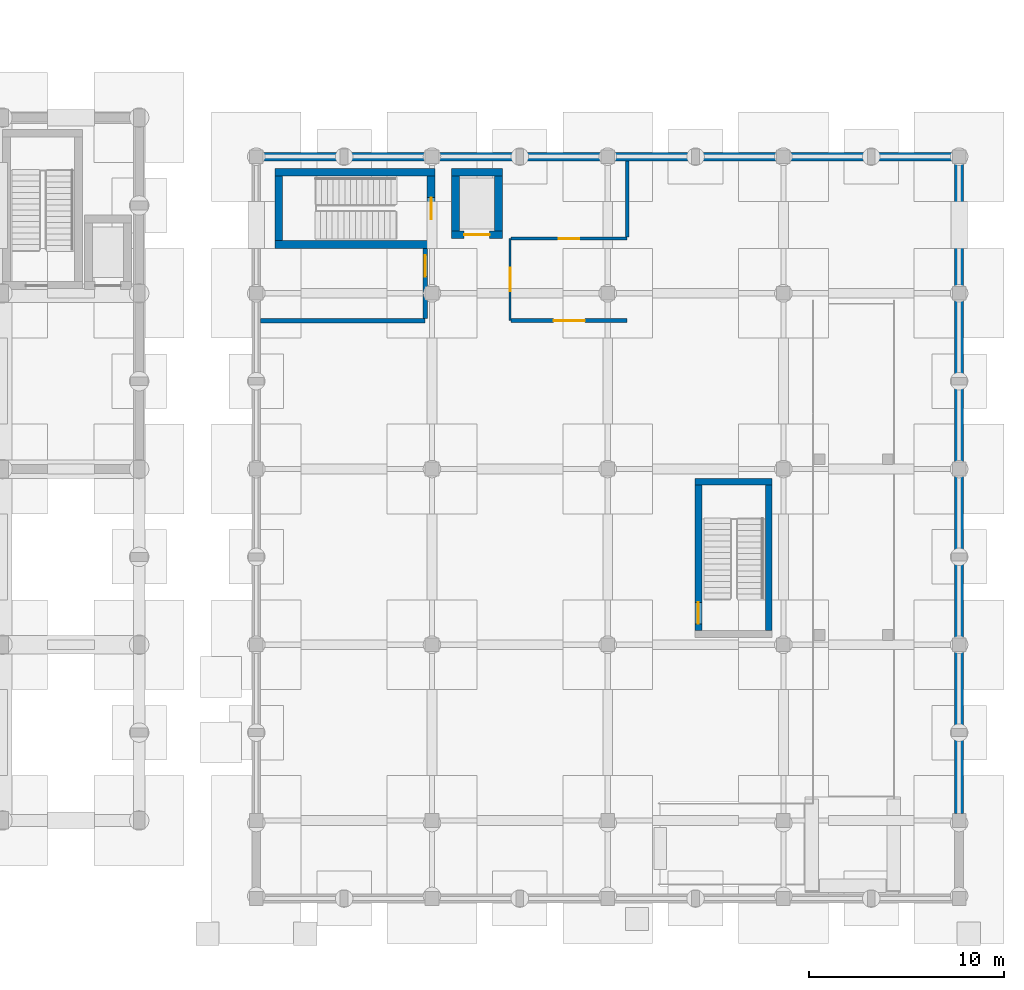
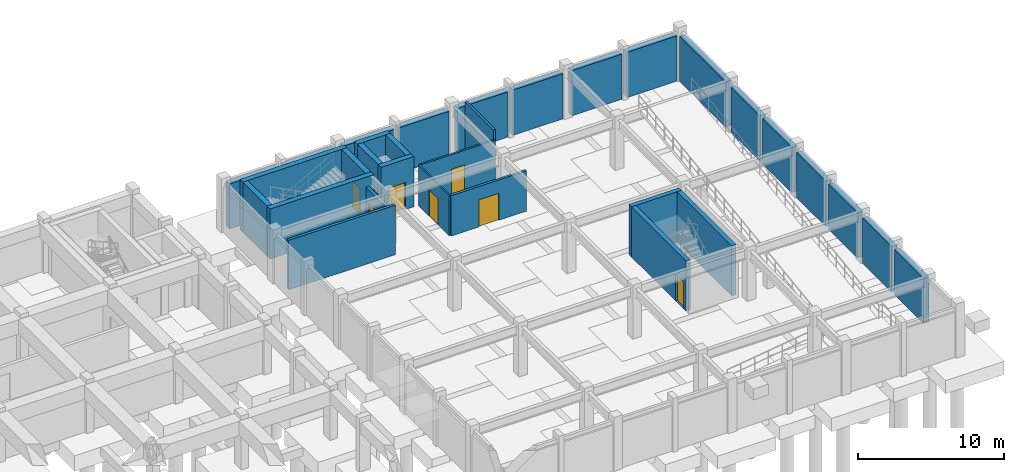
# One storey, part 15 of 20: 32 walls, 7 doors, 7 openings.
"""IFC4 building model written with IfcOpenShell, lengths in metres."""

from ifc_helpers import new_model, si_unit, direction, frame, frame_2d, origin, place, context, subcontext, project, spatial, rectangle, extrude, material, layer, layer_set, type_object, element, fill, save


model = new_model("IFC4")

# Units and contexts
model_context = context("Model", 3, precision=1e-05, world=origin(), true_north=direction((0.0, 1.0)))
body_context = subcontext(model_context, "Body", "Model", "MODEL_VIEW")
ifc_project = project(units=[si_unit("LENGTHUNIT", "METRE"), si_unit("AREAUNIT", "SQUARE_METRE"), si_unit("VOLUMEUNIT", "CUBIC_METRE"), si_unit("PLANEANGLEUNIT", "RADIAN"), si_unit("MASSUNIT", "GRAM", prefix="KILO")], contexts=[model_context])

# Site, building, storey
site_placement = place(None, origin())
site = spatial("IfcSite", under=ifc_project, at=site_placement, CompositionType="ELEMENT")
building_placement = place(site_placement, origin())
building = spatial("IfcBuilding", under=site, at=building_placement, Name="Ventoquebrada Cableway Terminal", CompositionType="ELEMENT")
storey_placement = place(building_placement, frame((0.0, 0.0, -4.5)))
storey = spatial("IfcBuildingStorey", under=building, at=storey_placement, Name="B1", CompositionType="ELEMENT", Elevation=-4.5)

# Wall
ifc_material_1 = material(Name="Concrete C40/50", Category="concrete")
ifc_layer_1 = layer(ifc_material_1, 0.39990234375)
ifc_layer_set_1 = layer_set([ifc_layer_1], Name="Concrete C40/50")
wall_type_1 = type_object("IfcWallType", Name="WL-CR1", PredefinedType="SHEAR", material=ifc_layer_set_1)
wall_1_placement = place(storey_placement, frame((129.949951171875, 97.5, 0.0), z_axis=(0.0, 0.0, 1.0), x_axis=(1.0, 0.0, 0.0)))
element("IfcWall", 1, at=wall_1_placement, inside=storey, type_object=wall_type_1, Name="Core shear wall IW-0153", PredefinedType="SHEAR", context=body_context, shape_type="SweptSolid", body=[
    extrude(rectangle(XDim=8.199951171875, YDim=0.39990234375, at=frame_2d((4.10009765625, 0.0))), origin(), (0.0, 0.0, 1.0), 4.18994140625),
])

# Wall, opening, door
wall_2_placement = place(storey_placement, frame((137.949951171875, 97.699951171875, 0.0), z_axis=(0.0, 0.0, 1.0), x_axis=(0.0, 1.0, 0.0)))
wall_2 = element("IfcWall", 2, at=wall_2_placement, inside=storey, type_object=wall_type_1, Name="Core shear wall IW-0154", PredefinedType="SHEAR", context=body_context, shape_type="SweptSolid", body=[
    extrude(rectangle(XDim=3.300048828125, YDim=0.39990234375, at=frame_2d((1.64990234375, 0.0))), origin(), (0.0, 0.0, 1.0), 4.18994140625),
])
opening_1_placement = place(wall_2_placement, frame((1.10009765625, 0.0, 0.0)))
opening_1 = element("IfcOpeningElement", 3, at=opening_1_placement, cuts=wall_2, Name="Opening D-019", PredefinedType="OPENING", context=body_context, shape_type="SweptSolid", body=[
    extrude(rectangle(XDim=1.10009765625, YDim=2.199951171875, at=frame_2d((0.550048828125, 1.10009765625))), frame((0.0, 0.2099609375, 0.0), z_axis=(0.0, -1.0, 0.0), x_axis=(1.0, 0.0, 0.0)), (0.0, 0.0, 1.0), 0.419921875),
])
ifc_material_2 = material(Name="Galvanized fire-rated steel door assembly", Category="steel")
door_type_1 = type_object("IfcDoorType", Name="DT-IN05", OperationType="SINGLE_SWING_LEFT", PredefinedType="DOOR", material=ifc_material_2)
door_1_placement = place(opening_1_placement, origin())
door_1 = element("IfcDoor", 4, at=door_1_placement, inside=storey, type_object=door_type_1, Name="Core K5-S stair fire door D-019", OperationType="SINGLE_SWING_RIGHT", OverallHeight=2.199951171875, OverallWidth=1.10009765625, PredefinedType="DOOR", context=body_context, shape_type="SweptSolid", body=[
    extrude(rectangle(XDim=1.10009765625, YDim=2.199951171875, at=frame_2d((0.550048828125, 1.10009765625))), frame((0.0, 0.02490234375, 0.0), z_axis=(0.0, -1.0, 0.0), x_axis=(1.0, 0.0, 0.0)), (0.0, 0.0, 1.0), 0.050048828125),
])
fill(opening_1, door_1)

# Walls
wall_3_placement = place(storey_placement, frame((138.14990234375, 101.199951171875, 0.0), z_axis=(0.0, 0.0, 1.0), x_axis=(-1.0, 0.0, 0.0)))
element("IfcWall", 5, at=wall_3_placement, inside=storey, type_object=wall_type_1, Name="Core shear wall IW-0155", PredefinedType="SHEAR", context=body_context, shape_type="SweptSolid", body=[
    extrude(rectangle(XDim=8.199951171875, YDim=0.39990234375, at=frame_2d((4.10009765625, 0.0))), origin(), (0.0, 0.0, 1.0), 4.18994140625),
])
wall_4_placement = place(storey_placement, frame((130.14990234375, 101.0, 0.0), z_axis=(0.0, 0.0, 1.0), x_axis=(0.0, -1.0, 0.0)))
element("IfcWall", 6, at=wall_4_placement, inside=storey, type_object=wall_type_1, Name="Core shear wall IW-0156", PredefinedType="SHEAR", context=body_context, shape_type="SweptSolid", body=[
    extrude(rectangle(XDim=3.300048828125, YDim=0.39990234375, at=frame_2d((1.64990234375, 0.0))), origin(), (0.0, 0.0, 1.0), 4.18994140625),
])

# Wall, opening, door
wall_5_placement = place(storey_placement, frame((139.0, 98.0, 0.0), z_axis=(0.0, 0.0, 1.0), x_axis=(1.0, 0.0, 0.0)))
wall_5 = element("IfcWall", 7, at=wall_5_placement, inside=storey, type_object=wall_type_1, Name="Core shear wall IW-0157", PredefinedType="SHEAR", context=body_context, shape_type="SweptSolid", body=[
    extrude(rectangle(XDim=2.60009765625, YDim=0.39990234375, at=frame_2d((1.300048828125, 0.0))), origin(), (0.0, 0.0, 1.0), 4.18994140625),
])
opening_2_placement = place(wall_5_placement, frame((0.64990234375, 0.0, 0.0)))
opening_2 = element("IfcOpeningElement", 8, at=opening_2_placement, cuts=wall_5, Name="Opening LD-019", PredefinedType="OPENING", context=body_context, shape_type="SweptSolid", body=[
    extrude(rectangle(XDim=1.300048828125, YDim=2.25, at=frame_2d((0.64990234375, 1.125))), frame((0.0, 0.2099609375, 0.0), z_axis=(0.0, -1.0, 0.0), x_axis=(1.0, 0.0, 0.0)), (0.0, 0.0, 1.0), 0.419921875),
])
ifc_material_3 = material(Name="Brushed stainless steel Grade 316", Category="steel")
door_type_2 = type_object("IfcDoorType", Name="DT-LD02", OperationType="SLIDING_TO_RIGHT", PredefinedType="DOOR", material=ifc_material_3)
door_2_placement = place(opening_2_placement, origin())
door_2 = element("IfcDoor", 9, at=door_2_placement, inside=storey, type_object=door_type_2, Name="Lift landing sliding door LD-019", OperationType="SLIDING_TO_RIGHT", OverallHeight=2.25, OverallWidth=1.300048828125, PredefinedType="DOOR", context=body_context, shape_type="SweptSolid", body=[
    extrude(rectangle(XDim=1.300048828125, YDim=2.25, at=frame_2d((0.64990234375, 1.125))), frame((0.0, 0.02490234375, 0.0), z_axis=(0.0, -1.0, 0.0), x_axis=(1.0, 0.0, 0.0)), (0.0, 0.0, 1.0), 0.050048828125),
])
fill(opening_2, door_2)

# Walls
wall_6_placement = place(storey_placement, frame((141.39990234375, 98.199951171875, 0.0), z_axis=(0.0, 0.0, 1.0), x_axis=(0.0, 1.0, 0.0)))
element("IfcWall", 10, at=wall_6_placement, inside=storey, type_object=wall_type_1, Name="Core shear wall IW-0158", PredefinedType="SHEAR", context=body_context, shape_type="SweptSolid", body=[
    extrude(rectangle(XDim=2.800048828125, YDim=0.39990234375, at=frame_2d((1.39990234375, 0.0))), origin(), (0.0, 0.0, 1.0), 4.18994140625),
])
wall_7_placement = place(storey_placement, frame((141.60009765625, 101.199951171875, 0.0), z_axis=(0.0, 0.0, 1.0), x_axis=(-1.0, 0.0, 0.0)))
element("IfcWall", 11, at=wall_7_placement, inside=storey, type_object=wall_type_1, Name="Core shear wall IW-0159", PredefinedType="SHEAR", context=body_context, shape_type="SweptSolid", body=[
    extrude(rectangle(XDim=2.60009765625, YDim=0.39990234375, at=frame_2d((1.300048828125, 0.0))), origin(), (0.0, 0.0, 1.0), 4.18994140625),
])
wall_8_placement = place(storey_placement, frame((139.199951171875, 101.0, 0.0), z_axis=(0.0, 0.0, 1.0), x_axis=(0.0, -1.0, 0.0)))
element("IfcWall", 12, at=wall_8_placement, inside=storey, type_object=wall_type_1, Name="Core shear wall IW-0160", PredefinedType="SHEAR", context=body_context, shape_type="SweptSolid", body=[
    extrude(rectangle(XDim=2.800048828125, YDim=0.39990234375, at=frame_2d((1.39990234375, 0.0))), origin(), (0.0, 0.0, 1.0), 4.18994140625),
])

# Wall, opening, door
ifc_material_4 = material(Name="Fire-rated gypsum partition board on steel framing", Category="steel")
ifc_layer_2 = layer(ifc_material_4, 0.1201171875)
ifc_layer_set_2 = layer_set([ifc_layer_2], Name="Fire-rated gypsum partition board on steel framing")
wall_type_2 = type_object("IfcWallType", Name="WL-PT1", PredefinedType="PARTITIONING", material=ifc_layer_set_2)
wall_9_placement = place(storey_placement, frame((142.0, 93.60009765625, 0.0), z_axis=(0.0, 0.0, 1.0), x_axis=(0.0, 1.0, 0.0)))
wall_9 = element("IfcWall", 13, at=wall_9_placement, inside=storey, type_object=wall_type_2, Name="Interior partition IW-0311", PredefinedType="PARTITIONING", context=body_context, shape_type="SweptSolid", body=[
    extrude(rectangle(XDim=4.199951171875, YDim=0.1201171875, at=frame_2d((2.10009765625, 0.0))), origin(), (0.0, 0.0, 1.0), 3.363037109375),
])
opening_3_placement = place(wall_9_placement, frame((1.5, 0.0, 0.0)))
opening_3 = element("IfcOpeningElement", 14, at=opening_3_placement, cuts=wall_9, Name="Opening D-058", PredefinedType="OPENING", context=body_context, shape_type="SweptSolid", body=[
    extrude(rectangle(XDim=1.199951171875, YDim=2.199951171875, at=frame_2d((0.60009765625, 1.10009765625))), frame((0.0, 0.070068359375, 0.0), z_axis=(0.0, -1.0, 0.0), x_axis=(1.0, 0.0, 0.0)), (0.0, 0.0, 1.0), 0.14013671875),
])
door_type_3 = type_object("IfcDoorType", Name="DT-IN06", OperationType="SINGLE_SWING_RIGHT", PredefinedType="DOOR", material=ifc_material_2)
door_3_placement = place(opening_3_placement, origin())
door_3 = element("IfcDoor", 15, at=door_3_placement, inside=storey, type_object=door_type_3, Name="K5 Service Lobby Door D-058", OperationType="SINGLE_SWING_LEFT", OverallHeight=2.199951171875, OverallWidth=1.199951171875, PredefinedType="DOOR", context=body_context, shape_type="SweptSolid", body=[
    extrude(rectangle(XDim=1.199951171875, YDim=2.199951171875, at=frame_2d((0.60009765625, 1.10009765625))), frame((0.0, 0.02490234375, 0.0), z_axis=(0.0, -1.0, 0.0), x_axis=(1.0, 0.0, 0.0)), (0.0, 0.0, 1.0), 0.050048828125),
])
fill(opening_3, door_3)

ifc_material_5 = material(Name="Autoclaved aerated concrete blockwork", Category="masonry")
ifc_layer_3 = layer(ifc_material_5, 0.2451171875)
ifc_layer_set_3 = layer_set([ifc_layer_3], Name="Autoclaved aerated concrete blockwork")
wall_type_3 = type_object("IfcWallType", Name="WL-PT10", PredefinedType="PARTITIONING", material=ifc_layer_set_3)
wall_10_placement = place(storey_placement, frame((137.64990234375, 93.7060546875, 0.0), z_axis=(0.0, 0.0, 1.0), x_axis=(0.0, 1.0, 0.0)))
wall_10 = element("IfcWall", 16, at=wall_10_placement, inside=storey, type_object=wall_type_3, Name="Interior partition IW-0310", PredefinedType="PARTITIONING", context=body_context, shape_type="SweptSolid", body=[
    extrude(rectangle(XDim=3.593994140625, YDim=0.2451171875, at=frame_2d((1.796875, 0.0))), origin(), (0.0, 0.0, 1.0), 3.363037109375),
])
opening_4_placement = place(wall_10_placement, frame((2.14697265625, 0.0, 0.0)))
opening_4 = element("IfcOpeningElement", 17, at=opening_4_placement, cuts=wall_10, Name="Opening D-057", PredefinedType="OPENING", context=body_context, shape_type="SweptSolid", body=[
    extrude(rectangle(XDim=1.10009765625, YDim=2.199951171875, at=frame_2d((0.550048828125, 1.10009765625))), frame((0.0, 0.132568359375, 0.0), z_axis=(0.0, -1.0, 0.0), x_axis=(1.0, 0.0, 0.0)), (0.0, 0.0, 1.0), 0.26513671875),
])
door_type_4 = type_object("IfcDoorType", Name="DT-IN04", OperationType="SINGLE_SWING_RIGHT", PredefinedType="DOOR", material=ifc_material_2)
door_4_placement = place(opening_4_placement, origin())
door_4 = element("IfcDoor", 18, at=door_4_placement, inside=storey, type_object=door_type_4, Name="Rope Spool Store Door D-057", OperationType="SINGLE_SWING_RIGHT", OverallHeight=2.199951171875, OverallWidth=1.10009765625, PredefinedType="DOOR", context=body_context, shape_type="SweptSolid", body=[
    extrude(rectangle(XDim=1.10009765625, YDim=2.199951171875, at=frame_2d((0.550048828125, 1.10009765625))), frame((0.0, 0.02490234375, 0.0), z_axis=(0.0, -1.0, 0.0), x_axis=(1.0, 0.0, 0.0)), (0.0, 0.0, 1.0), 0.050048828125),
])
fill(opening_4, door_4)

ifc_layer_4 = layer(ifc_material_4, 0.14990234375)
ifc_layer_set_4 = layer_set([ifc_layer_4], Name="Fire-rated gypsum partition board on steel framing")
wall_type_4 = type_object("IfcWallType", Name="WL-PT2", PredefinedType="PARTITIONING", material=ifc_layer_set_4)
wall_11_placement = place(storey_placement, frame((142.05810546875, 97.800048828125, 0.0), z_axis=(0.0, 0.0, 1.0), x_axis=(1.0, 0.0, 0.0)))
wall_11 = element("IfcWall", 19, at=wall_11_placement, inside=storey, type_object=wall_type_4, Name="Interior partition IW-0312", PredefinedType="PARTITIONING", context=body_context, shape_type="SweptSolid", body=[
    extrude(rectangle(XDim=5.94189453125, YDim=0.14990234375, at=frame_2d((2.970947265625, 0.0))), origin(), (0.0, 0.0, 1.0), 3.363037109375),
])
opening_5_placement = place(wall_11_placement, frame((2.446044921875, 0.0, 0.0)))
opening_5 = element("IfcOpeningElement", 20, at=opening_5_placement, cuts=wall_11, Name="Opening D-059", PredefinedType="OPENING", context=body_context, shape_type="SweptSolid", body=[
    extrude(rectangle(XDim=1.050048828125, YDim=2.14990234375, at=frame_2d((0.52490234375, 1.074951171875))), frame((0.0, 0.0849609375, 0.0), z_axis=(0.0, -1.0, 0.0), x_axis=(1.0, 0.0, 0.0)), (0.0, 0.0, 1.0), 0.169921875),
])
ifc_material_6 = material(Name="Fire-retardant oak acoustic door leaf")
door_type_5 = type_object("IfcDoorType", Name="DT-IN03", OperationType="SINGLE_SWING_LEFT", PredefinedType="DOOR", material=ifc_material_6)
door_5_placement = place(opening_5_placement, origin())
door_5 = element("IfcDoor", 21, at=door_5_placement, inside=storey, type_object=door_type_5, Name="Basement Staff WC Door D-059", OperationType="SINGLE_SWING_RIGHT", OverallHeight=2.14990234375, OverallWidth=1.050048828125, PredefinedType="DOOR", context=body_context, shape_type="SweptSolid", body=[
    extrude(rectangle(XDim=1.050048828125, YDim=2.14990234375, at=frame_2d((0.52490234375, 1.074951171875))), frame((0.0, 0.02490234375, 0.0), z_axis=(0.0, -1.0, 0.0), x_axis=(1.0, 0.0, 0.0)), (0.0, 0.0, 1.0), 0.050048828125),
])
fill(opening_5, door_5)

# Wall
ifc_layer_5 = layer(ifc_material_4, 0.179931640625)
ifc_layer_set_5 = layer_set([ifc_layer_5], Name="Fire-rated gypsum partition board on steel framing")
wall_type_5 = type_object("IfcWallType", Name="WL-PT3", PredefinedType="STANDARD", material=ifc_layer_set_5)
wall_12_placement = place(storey_placement, frame((148.0, 97.873046875, 0.0), z_axis=(0.0, 0.0, 1.0), x_axis=(0.0, 1.0, 0.0)))
element("IfcWall", 22, at=wall_12_placement, inside=storey, type_object=wall_type_5, Name="Interior partition IW-0313", PredefinedType="STANDARD", context=body_context, shape_type="SweptSolid", body=[
    extrude(rectangle(XDim=3.904052734375, YDim=0.179931640625, at=frame_2d((1.9521484375, 0.0))), origin(), (0.0, 0.0, 1.0), 4.135009765625),
])

# Wall, opening, door
ifc_layer_6 = layer(ifc_material_5, 0.199951171875)
ifc_layer_set_6 = layer_set([ifc_layer_6], Name="Autoclaved aerated concrete blockwork")
wall_type_6 = type_object("IfcWallType", Name="WL-PT4", PredefinedType="PARTITIONING", material=ifc_layer_set_6)
wall_13_placement = place(storey_placement, frame((142.05810546875, 93.60009765625, 0.0), z_axis=(0.0, 0.0, 1.0), x_axis=(1.0, 0.0, 0.0)))
wall_13 = element("IfcWall", 23, at=wall_13_placement, inside=storey, type_object=wall_type_6, Name="Interior partition IW-0314", PredefinedType="PARTITIONING", context=body_context, shape_type="SweptSolid", body=[
    extrude(rectangle(XDim=5.94189453125, YDim=0.199951171875, at=frame_2d((2.970947265625, 0.0))), origin(), (0.0, 0.0, 1.0), 3.363037109375),
])
opening_6_placement = place(wall_13_placement, frame((2.1708984375, 0.0, 0.0)))
opening_6 = element("IfcOpeningElement", 24, at=opening_6_placement, cuts=wall_13, Name="Opening D-060", PredefinedType="OPENING", context=body_context, shape_type="SweptSolid", body=[
    extrude(rectangle(XDim=1.60009765625, YDim=2.25, at=frame_2d((0.800048828125, 1.125))), frame((0.0, 0.10986328125, 0.0), z_axis=(0.0, -1.0, 0.0), x_axis=(1.0, 0.0, 0.0)), (0.0, 0.0, 1.0), 0.219970703125),
])
door_type_6 = type_object("IfcDoorType", Name="DT-IN07", OperationType="DOUBLE_SWING_LEFT", PredefinedType="DOOR", material=ifc_material_2)
door_6_placement = place(opening_6_placement, origin())
door_6 = element("IfcDoor", 25, at=door_6_placement, inside=storey, type_object=door_type_6, Name="Basement Parking Access Door D-060", OperationType="DOUBLE_SWING_LEFT", OverallHeight=2.25, OverallWidth=1.60009765625, PredefinedType="DOOR", context=body_context, shape_type="SweptSolid", body=[
    extrude(rectangle(XDim=1.60009765625, YDim=2.25, at=frame_2d((0.800048828125, 1.125))), frame((0.0, 0.02490234375, 0.0), z_axis=(0.0, -1.0, 0.0), x_axis=(1.0, 0.0, 0.0)), (0.0, 0.0, 1.0), 0.050048828125),
])
fill(opening_6, door_6)

# Walls
ifc_layer_7 = layer(ifc_material_5, 0.215087890625)
ifc_layer_set_7 = layer_set([ifc_layer_7], Name="Autoclaved aerated concrete blockwork")
wall_type_7 = type_object("IfcWallType", Name="WL-PT9", PredefinedType="PARTITIONING", material=ifc_layer_set_7)
wall_14_placement = place(storey_placement, frame((129.222900390625, 93.60009765625, 0.0), z_axis=(0.0, 0.0, 1.0), x_axis=(1.0, 0.0, 0.0)))
element("IfcWall", 26, at=wall_14_placement, inside=storey, type_object=wall_type_7, Name="Interior partition IW-0309", PredefinedType="PARTITIONING", context=body_context, shape_type="SweptSolid", body=[
    extrude(rectangle(XDim=8.427001953125, YDim=0.215087890625, at=frame_2d((4.21337890625, 0.0))), origin(), (0.0, 0.0, 1.0), 4.135009765625),
])
ifc_material_7 = material(Name="Concrete C45/55", Category="concrete")
ifc_layer_8 = layer(ifc_material_7, 0.449951171875)
ifc_layer_set_8 = layer_set([ifc_layer_8], Name="Concrete C45/55")
wall_type_8 = type_object("IfcWallType", Name="WL-RT1", PredefinedType="USERDEFINED", material=ifc_layer_set_8)
for number, where, z_axis, x_axis, name in (
    (27, (165.0, 68.344970703125, 0.0), (0.0, 0.0, 1.0), (0.0, 1.0, 0.0), "Perimeter basement retaining wall EW-0040"),
    (28, (165.0, 72.695068359375, 0.0), (0.0, 0.0, 1.0), (0.0, 1.0, 0.0), "Perimeter basement retaining wall EW-0041"),
    (29, (165.0, 77.344970703125, 0.0), (0.0, 0.0, 1.0), (0.0, 1.0, 0.0), "Perimeter basement retaining wall EW-0042"),
    (30, (165.0, 81.695068359375, 0.0), (0.0, 0.0, 1.0), (0.0, 1.0, 0.0), "Perimeter basement retaining wall EW-0043"),
    (31, (165.0, 86.344970703125, 0.0), (0.0, 0.0, 1.0), (0.0, 1.0, 0.0), "Perimeter basement retaining wall EW-0044"),
    (32, (165.0, 90.695068359375, 0.0), (0.0, 0.0, 1.0), (0.0, 1.0, 0.0), "Perimeter basement retaining wall EW-0045"),
):
    element("IfcWall", number, at=place(storey_placement, frame(where, z_axis=z_axis, x_axis=x_axis)), inside=storey, type_object=wall_type_8, Name=name, ObjectType="RETAINING WALL", PredefinedType="USERDEFINED", context=body_context, shape_type="SweptSolid", body=[
        extrude(rectangle(XDim=3.9599609375, YDim=0.449951171875, at=frame_2d((1.97998046875, 0.0))), origin(), (0.0, 0.0, 1.0), 3.77490234375),
    ])
wall_15_placement = place(storey_placement, frame((165.0, 95.344970703125, 0.0), z_axis=(0.0, 0.0, 1.0), x_axis=(0.0, 1.0, 0.0)))
element("IfcWall", 33, at=wall_15_placement, inside=storey, type_object=wall_type_8, Name="Perimeter basement retaining wall EW-0046", ObjectType="RETAINING WALL", PredefinedType="USERDEFINED", context=body_context, shape_type="SweptSolid", body=[
    extrude(rectangle(XDim=6.31005859375, YDim=0.449951171875, at=frame_2d((3.155029296875, 0.0))), origin(), (0.0, 0.0, 1.0), 3.77490234375),
])
for number, where, z_axis, x_axis, name in (
    (34, (164.655029296875, 102.0, 0.0), (0.0, 0.0, 1.0), (-1.0, 0.0, 0.0), "Perimeter basement retaining wall EW-0047"),
    (35, (160.304931640625, 102.0, 0.0), (0.0, 0.0, 1.0), (-1.0, 0.0, 0.0), "Perimeter basement retaining wall EW-0048"),
    (36, (155.655029296875, 102.0, 0.0), (0.0, 0.0, 1.0), (-1.0, 0.0, 0.0), "Perimeter basement retaining wall EW-0049"),
    (37, (151.304931640625, 102.0, 0.0), (0.0, 0.0, 1.0), (-1.0, 0.0, 0.0), "Perimeter basement retaining wall EW-0050"),
    (38, (146.655029296875, 102.0, 0.0), (0.0, 0.0, 1.0), (-1.0, 0.0, 0.0), "Perimeter basement retaining wall EW-0051"),
    (39, (142.304931640625, 102.0, 0.0), (0.0, 0.0, 1.0), (-1.0, 0.0, 0.0), "Perimeter basement retaining wall EW-0052"),
    (40, (137.655029296875, 102.0, 0.0), (0.0, 0.0, 1.0), (-1.0, 0.0, 0.0), "Perimeter basement retaining wall EW-0053"),
    (41, (133.304931640625, 102.0, 0.0), (0.0, 0.0, 1.0), (-1.0, 0.0, 0.0), "Perimeter basement retaining wall EW-0054"),
):
    element("IfcWall", number, at=place(storey_placement, frame(where, z_axis=z_axis, x_axis=x_axis)), inside=storey, type_object=wall_type_8, Name=name, ObjectType="RETAINING WALL", PredefinedType="USERDEFINED", context=body_context, shape_type="SweptSolid", body=[
        extrude(rectangle(XDim=3.9599609375, YDim=0.449951171875, at=frame_2d((1.97998046875, 0.0))), origin(), (0.0, 0.0, 1.0), 3.77490234375),
    ])
ifc_layer_9 = layer(ifc_material_1, 0.35009765625)
ifc_layer_set_9 = layer_set([ifc_layer_9], Name="Concrete C40/50")
wall_type_9 = type_object("IfcWallType", Name="WL-SH1", PredefinedType="SHEAR", material=ifc_layer_set_9)
wall_16_placement = place(storey_placement, frame((155.25, 77.72509765625, 0.0), z_axis=(0.0, 0.0, 1.0), x_axis=(0.0, 1.0, 0.0)))
element("IfcWall", 42, at=wall_16_placement, inside=storey, type_object=wall_type_9, Name="Core shear wall IW-0246", PredefinedType="SHEAR", context=body_context, shape_type="SweptSolid", body=[
    extrude(rectangle(XDim=7.449951171875, YDim=0.35009765625, at=frame_2d((3.72509765625, 0.0))), origin(), (0.0, 0.0, 1.0), 4.18994140625),
])
wall_17_placement = place(storey_placement, frame((155.425048828125, 85.35009765625, 0.0), z_axis=(0.0, 0.0, 1.0), x_axis=(-1.0, 0.0, 0.0)))
element("IfcWall", 43, at=wall_17_placement, inside=storey, type_object=wall_type_9, Name="Core shear wall IW-0247", PredefinedType="SHEAR", context=body_context, shape_type="SweptSolid", body=[
    extrude(rectangle(XDim=3.949951171875, YDim=0.35009765625, at=frame_2d((1.97509765625, 0.0))), origin(), (0.0, 0.0, 1.0), 4.18994140625),
])

# Wall, opening, door
wall_18_placement = place(storey_placement, frame((151.64990234375, 85.175048828125, 0.0), z_axis=(0.0, 0.0, 1.0), x_axis=(0.0, -1.0, 0.0)))
wall_18 = element("IfcWall", 44, at=wall_18_placement, inside=storey, type_object=wall_type_9, Name="Core shear wall IW-0248", PredefinedType="SHEAR", context=body_context, shape_type="SweptSolid", body=[
    extrude(rectangle(XDim=7.449951171875, YDim=0.35009765625, at=frame_2d((3.72509765625, 0.0))), origin(), (0.0, 0.0, 1.0), 4.18994140625),
])
opening_7_placement = place(wall_18_placement, frame((6.0, 0.0, 0.0)))
opening_7 = element("IfcOpeningElement", 45, at=opening_7_placement, cuts=wall_18, Name="Opening D-036", PredefinedType="OPENING", context=body_context, shape_type="SweptSolid", body=[
    extrude(rectangle(XDim=1.10009765625, YDim=2.199951171875, at=frame_2d((0.550048828125, 1.10009765625))), frame((0.0, 0.18505859375, 0.0), z_axis=(0.0, -1.0, 0.0), x_axis=(1.0, 0.0, 0.0)), (0.0, 0.0, 1.0), 0.3701171875),
])
door_7_placement = place(opening_7_placement, origin())
door_7 = element("IfcDoor", 46, at=door_7_placement, inside=storey, type_object=door_type_1, Name="Core V4-SEC stair fire door D-036", OperationType="SINGLE_SWING_LEFT", OverallHeight=2.199951171875, OverallWidth=1.10009765625, PredefinedType="DOOR", context=body_context, shape_type="SweptSolid", body=[
    extrude(rectangle(XDim=1.10009765625, YDim=2.199951171875, at=frame_2d((0.550048828125, 1.10009765625))), frame((0.0, 0.02490234375, 0.0), z_axis=(0.0, -1.0, 0.0), x_axis=(1.0, 0.0, 0.0)), (0.0, 0.0, 1.0), 0.050048828125),
])
fill(opening_7, door_7)

save(model, "model.ifc")
